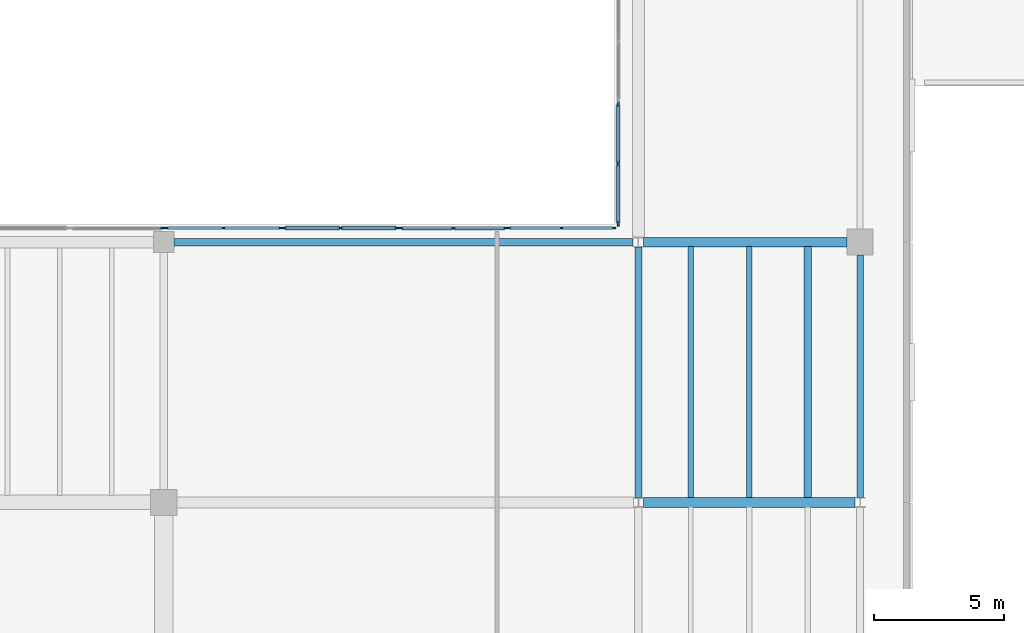
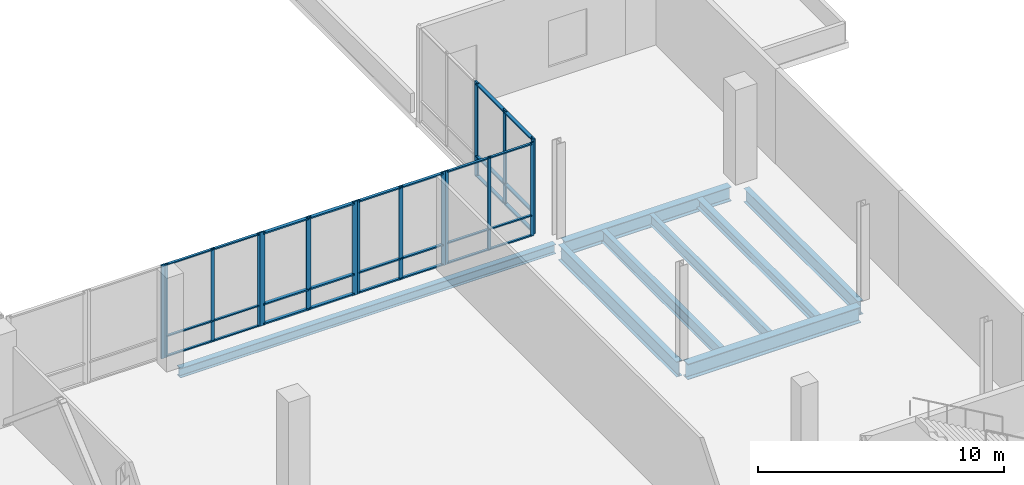
# One storey, part 32 of 60: 46 members, 8 beams, 6 elements without a shape of their own.
"""IFC4 building model written with IfcOpenShell, lengths in metres."""

from ifc_helpers import new_model, si_unit, direction, frame, origin, origin_2d, place, context, subcontext, project, spatial, rectangle, i_section, extrude, material, material_profile, profile_set, type_object, element, aggregate, save


model = new_model("IFC4")

# Units and contexts
model_context = context("Model", 3, precision=1e-05, world=origin(), true_north=direction((0.0, 1.0)))
body_context = subcontext(model_context, "Body", "Model", "MODEL_VIEW")
ifc_project = project(units=[si_unit("LENGTHUNIT", "METRE"), si_unit("AREAUNIT", "SQUARE_METRE"), si_unit("VOLUMEUNIT", "CUBIC_METRE"), si_unit("PLANEANGLEUNIT", "RADIAN"), si_unit("MASSUNIT", "GRAM", prefix="KILO")], contexts=[model_context])

# Site, building, storey
site_placement = place(None, origin())
site = spatial("IfcSite", under=ifc_project, at=site_placement, CompositionType="ELEMENT")
building_placement = place(site_placement, origin())
building = spatial("IfcBuilding", under=site, at=building_placement, Name="Trimount Lyric Opera House", CompositionType="ELEMENT")
storey_placement = place(building_placement, frame((0.0, 0.0, 15.0)))
storey = spatial("IfcBuildingStorey", under=building, at=storey_placement, Name="L03", CompositionType="ELEMENT", Elevation=15.0)

# Beams
ifc_material_1 = material(Name="Steel ASTM A992 Grade 50", Category="steel")
ifc_material_profile_1 = material_profile(ifc_material_1, i_section(OverallWidth=0.382080078125, OverallDepth=0.779052734375, WebThickness=0.01806640625, FlangeThickness=0.0302734375, FilletRadius=0.01904296875, at=origin_2d()), Name="W30X191")
ifc_profile_set_1 = profile_set([ifc_material_profile_1], Name="Steel ASTM A992 Grade 50")
beam_type_1 = type_object("IfcBeamType", Name="B-06", PredefinedType="BEAM", material=ifc_profile_set_1)
beam_1_placement = place(storey_placement, frame((148.426513671875, 64.0, -0.659423828125), z_axis=(1.0, 0.0, 0.0), x_axis=(0.0, 1.0, 0.0)))
element("IfcBeam", 1, at=beam_1_placement, inside=storey, type_object=beam_type_1, Name="L03 girder X-0977", PredefinedType="BEAM", context=body_context, shape_type="SweptSolid", body=[
    extrude(i_section(OverallWidth=0.382080078125, OverallDepth=0.779052734375, WebThickness=0.01806640625, FlangeThickness=0.0302734375, FilletRadius=0.01904296875, at=origin_2d()), origin(), (0.0, 0.0, 1.0), 8.134033203125),
])
ifc_material_2 = material(Name="Steel ASTM A992 Grade 50", Category="steel")
ifc_material_profile_2 = material_profile(ifc_material_2, i_section(OverallWidth=0.26708984375, OverallDepth=0.761962890625, WebThickness=0.014404296875, FlangeThickness=0.021484375, FilletRadius=0.01708984375, at=origin_2d()), Name="W30X116")
ifc_profile_set_2 = profile_set([ifc_material_profile_2], Name="Steel ASTM A992 Grade 50")
beam_type_2 = type_object("IfcBeamType", Name="B-07", PredefinedType="BEAM", material=ifc_profile_set_2)
beam_2_placement = place(storey_placement, frame((148.239990234375, 64.18408203125, -0.65087890625), z_axis=(0.0, 1.0, 0.0), x_axis=(-1.0, 0.0, 0.0)))
element("IfcBeam", 2, at=beam_2_placement, inside=storey, type_object=beam_type_2, Name="L03 girder Y-1112", PredefinedType="BEAM", context=body_context, shape_type="SweptSolid", body=[
    extrude(i_section(OverallWidth=0.26708984375, OverallDepth=0.761962890625, WebThickness=0.014404296875, FlangeThickness=0.021484375, FilletRadius=0.01708984375, at=origin_2d()), origin(), (0.0, 0.0, 1.0), 9.622802734375),
])
ifc_material_3 = material(Name="Steel ASTM A992 Grade 50", Category="steel")
ifc_material_profile_3 = material_profile(ifc_material_3, i_section(OverallWidth=0.35595703125, OverallDepth=0.700927734375, WebThickness=0.016845703125, FlangeThickness=0.02734375, FilletRadius=0.01806640625, at=origin_2d()), Name="W27X161")
ifc_profile_set_3 = profile_set([ifc_material_profile_3], Name="Steel ASTM A992 Grade 50")
beam_type_3 = type_object("IfcBeamType", Name="B-08", PredefinedType="BEAM", material=ifc_profile_set_3)
beam_3_placement = place(storey_placement, frame((148.439453125, 74.0, -0.62060546875), z_axis=(1.0, 0.0, 0.0), x_axis=(0.0, 1.0, 0.0)))
element("IfcBeam", 3, at=beam_3_placement, inside=storey, type_object=beam_type_3, Name="L03 girder X-0988", PredefinedType="BEAM", context=body_context, shape_type="SweptSolid", body=[
    extrude(i_section(OverallWidth=0.35595703125, OverallDepth=0.700927734375, WebThickness=0.016845703125, FlangeThickness=0.02734375, FilletRadius=0.01806640625, at=origin_2d()), origin(), (0.0, 0.0, 1.0), 7.820556640625),
])
ifc_material_4 = material(Name="Steel ASTM A992 Grade 50", Category="steel")
ifc_material_profile_4 = material_profile(ifc_material_4, i_section(OverallWidth=0.25390625, OverallDepth=0.68798828125, WebThickness=0.01318359375, FlangeThickness=0.02099609375, FilletRadius=0.01611328125, at=origin_2d()), Name="W27X102")
ifc_profile_set_4 = profile_set([ifc_material_profile_4], Name="Steel ASTM A992 Grade 50")
beam_type_4 = type_object("IfcBeamType", Name="B-09", PredefinedType="BEAM", material=ifc_profile_set_4)
beam_4_placement = place(storey_placement, frame((156.760009765625, 64.193115234375, -0.614013671875), z_axis=(0.0, 1.0, 0.0), x_axis=(-1.0, 0.0, 0.0)))
element("IfcBeam", 4, at=beam_4_placement, inside=storey, type_object=beam_type_4, Name="L03 girder Y-1119", PredefinedType="BEAM", context=body_context, shape_type="SweptSolid", body=[
    extrude(i_section(OverallWidth=0.25390625, OverallDepth=0.68798828125, WebThickness=0.01318359375, FlangeThickness=0.02099609375, FilletRadius=0.01611328125, at=origin_2d()), origin(), (0.0, 0.0, 1.0), 9.306884765625),
])
ifc_material_5 = material(Name="Steel ASTM A992 Grade 50", Category="steel")
ifc_material_profile_5 = material_profile(ifc_material_5, i_section(OverallWidth=0.22802734375, OverallDepth=0.60205078125, WebThickness=0.010498046875, FlangeThickness=0.014892578125, FilletRadius=0.012939453125, at=origin_2d()), Name="W24X68")
ifc_profile_set_5 = profile_set([ifc_material_profile_5], Name="Steel ASTM A992 Grade 50")
beam_type_5 = type_object("IfcBeamType", Name="J-01", PredefinedType="BEAM", material=ifc_profile_set_5)
beam_5_placement = place(storey_placement, frame((150.25, 64.18701171875, -0.571044921875), z_axis=(0.0, 1.0, 0.0), x_axis=(-1.0, 0.0, 0.0)))
element("IfcBeam", 5, at=beam_5_placement, inside=storey, type_object=beam_type_5, Name="L03 composite floor joist 1119", PredefinedType="BEAM", context=body_context, shape_type="SweptSolid", body=[
    extrude(i_section(OverallWidth=0.22802734375, OverallDepth=0.60205078125, WebThickness=0.010498046875, FlangeThickness=0.014892578125, FilletRadius=0.012939453125, at=origin_2d()), origin(), (0.0, 0.0, 1.0), 9.638916015625),
])
ifc_material_6 = material(Name="Steel ASTM A992 Grade 50", Category="steel")
ifc_material_profile_6 = material_profile(ifc_material_6, i_section(OverallWidth=0.2099609375, OverallDepth=0.532958984375, WebThickness=0.01025390625, FlangeThickness=0.015625, FilletRadius=0.012939453125, at=origin_2d()), Name="W21X62")
ifc_profile_set_6 = profile_set([ifc_material_profile_6], Name="Steel ASTM A992 Grade 50")
beam_type_6 = type_object("IfcBeamType", Name="J-02", PredefinedType="BEAM", material=ifc_profile_set_6)
beam_6_placement = place(storey_placement, frame((152.5, 64.18701171875, -0.53662109375), z_axis=(0.0, 1.0, 0.0), x_axis=(-1.0, 0.0, 0.0)))
element("IfcBeam", 6, at=beam_6_placement, inside=storey, type_object=beam_type_6, Name="L03 composite floor joist 1120", PredefinedType="BEAM", context=body_context, shape_type="SweptSolid", body=[
    extrude(i_section(OverallWidth=0.2099609375, OverallDepth=0.532958984375, WebThickness=0.01025390625, FlangeThickness=0.015625, FilletRadius=0.012939453125, at=origin_2d()), origin(), (0.0, 0.0, 1.0), 9.638916015625),
])
ifc_material_7 = material(Name="Steel ASTM A992 Grade 50", Category="steel")
ifc_material_profile_7 = material_profile(ifc_material_7, i_section(OverallWidth=0.281982421875, OverallDepth=0.467041015625, WebThickness=0.01220703125, FlangeThickness=0.01953125, FilletRadius=0.012939453125, at=origin_2d()), Name="W18X86")
ifc_profile_set_7 = profile_set([ifc_material_profile_7], Name="Steel ASTM A992 Grade 50")
beam_type_7 = type_object("IfcBeamType", Name="J-03", PredefinedType="BEAM", material=ifc_profile_set_7)
beam_7_placement = place(storey_placement, frame((154.75, 64.18701171875, -0.50341796875), z_axis=(0.0, 1.0, 0.0), x_axis=(-1.0, 0.0, 0.0)))
element("IfcBeam", 7, at=beam_7_placement, inside=storey, type_object=beam_type_7, Name="L03 composite floor joist 1121", PredefinedType="BEAM", context=body_context, shape_type="SweptSolid", body=[
    extrude(i_section(OverallWidth=0.281982421875, OverallDepth=0.467041015625, WebThickness=0.01220703125, FlangeThickness=0.01953125, FilletRadius=0.012939453125, at=origin_2d()), origin(), (0.0, 0.0, 1.0), 9.638916015625),
])

# Curtain wall, members
ifc_material_8 = material(Name="Thermally Broken Aluminium and Low-E Glass", Category="aluminium")
curtain_wall_type = type_object("IfcCurtainWallType", Name="CW-03", PredefinedType="NOTDEFINED", material=ifc_material_8)
curtain_wall_1_placement = place(storey_placement, origin())
curtain_wall_1 = element("IfcCurtainWall", 8, at=curtain_wall_1_placement, inside=storey, type_object=curtain_wall_type, Name="L03 curtain wall 252", PredefinedType="NOTDEFINED")
ifc_material_9 = material(Name="Anodised Aluminium 6063-T6", Category="aluminium")
ifc_material_profile_8 = material_profile(ifc_material_9, rectangle(XDim=0.070068359375, YDim=0.219970703125, at=origin_2d()), Name="ALU-MULL-70X220")
ifc_profile_set_8 = profile_set([ifc_material_profile_8], Name="Anodised Aluminium 6063-T6")
member_type_1 = type_object("IfcMemberType", Name="ML-01", PredefinedType="MULLION", material=ifc_profile_set_8)
member_1_placement = place(storey_placement, frame((134.625, 74.5400390625, 0.0), z_axis=(0.0, 0.0, 1.0), x_axis=(0.0, 1.0, 0.0)))
member_1 = element("IfcMember", 9, at=member_1_placement, type_object=member_type_1, Name="CW-03 mullion 1", PredefinedType="MULLION", context=body_context, shape_type="SweptSolid", body=[
    extrude(rectangle(XDim=0.070068359375, YDim=0.219970703125, at=origin_2d()), origin(), (0.0, 0.0, 1.0), 4.64990234375),
])
member_2_placement = place(storey_placement, frame((136.794921875, 74.5400390625, 0.0), z_axis=(0.0, 0.0, 1.0), x_axis=(0.0, 1.0, 0.0)))
member_2 = element("IfcMember", 10, at=member_2_placement, type_object=member_type_1, Name="CW-03 mullion 2", PredefinedType="MULLION", context=body_context, shape_type="SweptSolid", body=[
    extrude(rectangle(XDim=0.070068359375, YDim=0.219970703125, at=origin_2d()), origin(), (0.0, 0.0, 1.0), 4.64990234375),
])
member_3_placement = place(storey_placement, frame((138.965087890625, 74.5400390625, 0.0), z_axis=(0.0, 0.0, 1.0), x_axis=(0.0, 1.0, 0.0)))
member_3 = element("IfcMember", 11, at=member_3_placement, type_object=member_type_1, Name="CW-03 mullion 3", PredefinedType="MULLION", context=body_context, shape_type="SweptSolid", body=[
    extrude(rectangle(XDim=0.070068359375, YDim=0.219970703125, at=origin_2d()), origin(), (0.0, 0.0, 1.0), 4.64990234375),
])

curtain_wall_2_placement = place(storey_placement, origin())
curtain_wall_2 = element("IfcCurtainWall", 12, at=curtain_wall_2_placement, inside=storey, type_object=curtain_wall_type, Name="L03 curtain wall 255", PredefinedType="NOTDEFINED")
member_4_placement = place(storey_placement, frame((147.4599609375, 74.715087890625, 0.0), z_axis=(0.0, 0.0, 1.0), x_axis=(-1.0, 0.0, 0.0)))
member_4 = element("IfcMember", 13, at=member_4_placement, type_object=member_type_1, Name="CW-03 mullion 1", PredefinedType="MULLION", context=body_context, shape_type="SweptSolid", body=[
    extrude(rectangle(XDim=0.070068359375, YDim=0.219970703125, at=origin_2d()), origin(), (0.0, 0.0, 1.0), 4.7099609375),
])
member_5_placement = place(storey_placement, frame((147.4599609375, 77.010009765625, 0.0), z_axis=(0.0, 0.0, 1.0), x_axis=(-1.0, 0.0, 0.0)))
member_5 = element("IfcMember", 14, at=member_5_placement, type_object=member_type_1, Name="CW-03 mullion 2", PredefinedType="MULLION", context=body_context, shape_type="SweptSolid", body=[
    extrude(rectangle(XDim=0.070068359375, YDim=0.219970703125, at=origin_2d()), origin(), (0.0, 0.0, 1.0), 4.7099609375),
])
member_6_placement = place(storey_placement, frame((147.4599609375, 79.304931640625, 0.0), z_axis=(0.0, 0.0, 1.0), x_axis=(-1.0, 0.0, 0.0)))
member_6 = element("IfcMember", 15, at=member_6_placement, type_object=member_type_1, Name="CW-03 mullion 3", PredefinedType="MULLION", context=body_context, shape_type="SweptSolid", body=[
    extrude(rectangle(XDim=0.070068359375, YDim=0.219970703125, at=origin_2d()), origin(), (0.0, 0.0, 1.0), 4.7099609375),
])

# Curtain wall, member
curtain_wall_3_placement = place(storey_placement, origin())
curtain_wall_3 = element("IfcCurtainWall", 16, at=curtain_wall_3_placement, inside=storey, type_object=curtain_wall_type, Name="L03 curtain wall 250", PredefinedType="NOTDEFINED")
ifc_material_10 = material(Name="Anodised Aluminium 6063-T6", Category="aluminium")
ifc_material_profile_9 = material_profile(ifc_material_10, rectangle(XDim=0.06494140625, YDim=0.179931640625, at=origin_2d()), Name="ALU-MULL-65X180")
ifc_profile_set_9 = profile_set([ifc_material_profile_9], Name="Anodised Aluminium 6063-T6")
member_type_2 = type_object("IfcMemberType", Name="ML-02", PredefinedType="MULLION", material=ifc_profile_set_9)
member_7_placement = place(storey_placement, frame((129.967529296875, 74.5400390625, 0.0), z_axis=(0.0, 0.0, 1.0), x_axis=(0.0, 1.0, 0.0)))
member_7 = element("IfcMember", 17, at=member_7_placement, type_object=member_type_2, Name="CW-03 mullion 2", PredefinedType="MULLION", context=body_context, shape_type="SweptSolid", body=[
    extrude(rectangle(XDim=0.06494140625, YDim=0.179931640625, at=origin_2d()), origin(), (0.0, 0.0, 1.0), 4.64990234375),
])
aggregate(curtain_wall_3, [member_7])

# Curtain wall, members
curtain_wall_4_placement = place(storey_placement, origin())
curtain_wall_4 = element("IfcCurtainWall", 18, at=curtain_wall_4_placement, inside=storey, type_object=curtain_wall_type, Name="L03 curtain wall 253", PredefinedType="NOTDEFINED")
member_8_placement = place(storey_placement, frame((139.12255859375, 74.5400390625, 0.0), z_axis=(0.0, 0.0, 1.0), x_axis=(0.0, 1.0, 0.0)))
member_8 = element("IfcMember", 19, at=member_8_placement, type_object=member_type_2, Name="CW-03 mullion 1", PredefinedType="MULLION", context=body_context, shape_type="SweptSolid", body=[
    extrude(rectangle(XDim=0.06494140625, YDim=0.179931640625, at=origin_2d()), origin(), (0.0, 0.0, 1.0), 4.64990234375),
])
member_9_placement = place(storey_placement, frame((141.125, 74.5400390625, 0.0), z_axis=(0.0, 0.0, 1.0), x_axis=(0.0, 1.0, 0.0)))
member_9 = element("IfcMember", 20, at=member_9_placement, type_object=member_type_2, Name="CW-03 mullion 2", PredefinedType="MULLION", context=body_context, shape_type="SweptSolid", body=[
    extrude(rectangle(XDim=0.06494140625, YDim=0.179931640625, at=origin_2d()), origin(), (0.0, 0.0, 1.0), 4.64990234375),
])
member_10_placement = place(storey_placement, frame((143.12744140625, 74.5400390625, 0.0), z_axis=(0.0, 0.0, 1.0), x_axis=(0.0, 1.0, 0.0)))
member_10 = element("IfcMember", 21, at=member_10_placement, type_object=member_type_2, Name="CW-03 mullion 3", PredefinedType="MULLION", context=body_context, shape_type="SweptSolid", body=[
    extrude(rectangle(XDim=0.06494140625, YDim=0.179931640625, at=origin_2d()), origin(), (0.0, 0.0, 1.0), 4.64990234375),
])

curtain_wall_5_placement = place(storey_placement, origin())
curtain_wall_5 = element("IfcCurtainWall", 22, at=curtain_wall_5_placement, inside=storey, type_object=curtain_wall_type, Name="L03 curtain wall 251", PredefinedType="NOTDEFINED")
ifc_material_11 = material(Name="Anodised Aluminium 6063-T6", Category="aluminium")
ifc_material_profile_10 = material_profile(ifc_material_11, rectangle(XDim=0.06005859375, YDim=0.14990234375, at=origin_2d()), Name="ALU-MULL-60X150")
ifc_profile_set_10 = profile_set([ifc_material_profile_10], Name="Anodised Aluminium 6063-T6")
member_type_3 = type_object("IfcMemberType", Name="ML-03", PredefinedType="MULLION", material=ifc_profile_set_10)
member_11_placement = place(storey_placement, frame((130.1201171875, 74.5400390625, 0.0), z_axis=(0.0, 0.0, 1.0), x_axis=(0.0, 1.0, 0.0)))
member_11 = element("IfcMember", 23, at=member_11_placement, type_object=member_type_3, Name="CW-03 mullion 1", PredefinedType="MULLION", context=body_context, shape_type="SweptSolid", body=[
    extrude(rectangle(XDim=0.06005859375, YDim=0.14990234375, at=origin_2d()), origin(), (0.0, 0.0, 1.0), 4.64990234375),
])
member_12_placement = place(storey_placement, frame((132.294921875, 74.5400390625, 0.0), z_axis=(0.0, 0.0, 1.0), x_axis=(0.0, 1.0, 0.0)))
member_12 = element("IfcMember", 24, at=member_12_placement, type_object=member_type_3, Name="CW-03 mullion 2", PredefinedType="MULLION", context=body_context, shape_type="SweptSolid", body=[
    extrude(rectangle(XDim=0.06005859375, YDim=0.14990234375, at=origin_2d()), origin(), (0.0, 0.0, 1.0), 4.64990234375),
])
member_13_placement = place(storey_placement, frame((134.469970703125, 74.5400390625, 0.0), z_axis=(0.0, 0.0, 1.0), x_axis=(0.0, 1.0, 0.0)))
member_13 = element("IfcMember", 25, at=member_13_placement, type_object=member_type_3, Name="CW-03 mullion 3", PredefinedType="MULLION", context=body_context, shape_type="SweptSolid", body=[
    extrude(rectangle(XDim=0.06005859375, YDim=0.14990234375, at=origin_2d()), origin(), (0.0, 0.0, 1.0), 4.64990234375),
])

curtain_wall_6_placement = place(storey_placement, origin())
curtain_wall_6 = element("IfcCurtainWall", 26, at=curtain_wall_6_placement, inside=storey, type_object=curtain_wall_type, Name="L03 curtain wall 254", PredefinedType="NOTDEFINED")
member_14_placement = place(storey_placement, frame((143.280029296875, 74.5400390625, 0.0), z_axis=(0.0, 0.0, 1.0), x_axis=(0.0, 1.0, 0.0)))
member_14 = element("IfcMember", 27, at=member_14_placement, type_object=member_type_3, Name="CW-03 mullion 1", PredefinedType="MULLION", context=body_context, shape_type="SweptSolid", body=[
    extrude(rectangle(XDim=0.06005859375, YDim=0.14990234375, at=origin_2d()), origin(), (0.0, 0.0, 1.0), 4.64990234375),
])
member_15_placement = place(storey_placement, frame((145.284912109375, 74.5400390625, 0.0), z_axis=(0.0, 0.0, 1.0), x_axis=(0.0, 1.0, 0.0)))
member_15 = element("IfcMember", 28, at=member_15_placement, type_object=member_type_3, Name="CW-03 mullion 2", PredefinedType="MULLION", context=body_context, shape_type="SweptSolid", body=[
    extrude(rectangle(XDim=0.06005859375, YDim=0.14990234375, at=origin_2d()), origin(), (0.0, 0.0, 1.0), 4.64990234375),
])
member_16_placement = place(storey_placement, frame((147.2900390625, 74.5400390625, 0.0), z_axis=(0.0, 0.0, 1.0), x_axis=(0.0, 1.0, 0.0)))
member_16 = element("IfcMember", 29, at=member_16_placement, type_object=member_type_3, Name="CW-03 mullion 3", PredefinedType="MULLION", context=body_context, shape_type="SweptSolid", body=[
    extrude(rectangle(XDim=0.06005859375, YDim=0.14990234375, at=origin_2d()), origin(), (0.0, 0.0, 1.0), 4.64990234375),
])

# Beam
ifc_material_12 = material(Name="Steel ASTM A992 Grade 50", Category="steel")
ifc_material_profile_11 = material_profile(ifc_material_12, i_section(OverallWidth=0.281982421875, OverallDepth=0.467041015625, WebThickness=0.01220703125, FlangeThickness=0.01953125, FilletRadius=0.012939453125, at=origin_2d()), Name="W18X86")
ifc_profile_set_11 = profile_set([ifc_material_profile_11], Name="Steel ASTM A992 Grade 50")
beam_type_8 = type_object("IfcBeamType", Name="SP-01", PredefinedType="SPANDREL", material=ifc_profile_set_11)
beam_8_placement = place(storey_placement, frame((130.39990234375, 74.0, -0.50341796875), z_axis=(1.0, 0.0, 0.0), x_axis=(0.0, 1.0, 0.0)))
element("IfcBeam", 30, at=beam_8_placement, inside=storey, type_object=beam_type_8, Name="L03 girder X-0987", PredefinedType="SPANDREL", context=body_context, shape_type="SweptSolid", body=[
    extrude(i_section(OverallWidth=0.281982421875, OverallDepth=0.467041015625, WebThickness=0.01220703125, FlangeThickness=0.01953125, FilletRadius=0.012939453125, at=origin_2d()), origin(), (0.0, 0.0, 1.0), 17.640625),
])

# Member
ifc_material_13 = material(Name="Anodised Aluminium 6063-T6", Category="aluminium")
ifc_material_profile_12 = material_profile(ifc_material_13, rectangle(XDim=0.159912109375, YDim=0.070068359375, at=origin_2d()), Name="ALU-TRAN-70X160")
ifc_profile_set_12 = profile_set([ifc_material_profile_12], Name="Anodised Aluminium 6063-T6")
member_type_4 = type_object("IfcMemberType", Name="TR-01", PredefinedType="USERDEFINED", material=ifc_profile_set_12)
member_17_placement = place(storey_placement, frame((134.659912109375, 74.5400390625, 0.080078125), z_axis=(1.0, 0.0, 0.0), x_axis=(0.0, 1.0, 0.0)))
member_17 = element("IfcMember", 31, at=member_17_placement, type_object=member_type_4, Name="CW-03 transom 1.1", ObjectType="TRANSOM", PredefinedType="USERDEFINED", context=body_context, shape_type="SweptSolid", body=[
    extrude(rectangle(XDim=0.159912109375, YDim=0.070068359375, at=origin_2d()), origin(), (0.0, 0.0, 1.0), 2.10009765625),
])

member_18_placement = place(storey_placement, frame((134.659912109375, 74.5400390625, 1.050048828125), z_axis=(1.0, 0.0, 0.0), x_axis=(0.0, 1.0, 0.0)))
member_18 = element("IfcMember", 32, at=member_18_placement, type_object=member_type_4, Name="CW-03 transom 1.2", ObjectType="TRANSOM", PredefinedType="USERDEFINED", context=body_context, shape_type="SweptSolid", body=[
    extrude(rectangle(XDim=0.159912109375, YDim=0.070068359375, at=origin_2d()), origin(), (0.0, 0.0, 1.0), 2.10009765625),
])

member_19_placement = place(storey_placement, frame((134.659912109375, 74.5400390625, 4.570068359375), z_axis=(1.0, 0.0, 0.0), x_axis=(0.0, 1.0, 0.0)))
member_19 = element("IfcMember", 33, at=member_19_placement, type_object=member_type_4, Name="CW-03 transom 1.3", ObjectType="TRANSOM", PredefinedType="USERDEFINED", context=body_context, shape_type="SweptSolid", body=[
    extrude(rectangle(XDim=0.159912109375, YDim=0.070068359375, at=origin_2d()), origin(), (0.0, 0.0, 1.0), 2.10009765625),
])

member_20_placement = place(storey_placement, frame((136.830078125, 74.5400390625, 0.080078125), z_axis=(1.0, 0.0, 0.0), x_axis=(0.0, 1.0, 0.0)))
member_20 = element("IfcMember", 34, at=member_20_placement, type_object=member_type_4, Name="CW-03 transom 2.1", ObjectType="TRANSOM", PredefinedType="USERDEFINED", context=body_context, shape_type="SweptSolid", body=[
    extrude(rectangle(XDim=0.159912109375, YDim=0.070068359375, at=origin_2d()), origin(), (0.0, 0.0, 1.0), 2.099853515625),
])

member_21_placement = place(storey_placement, frame((136.830078125, 74.5400390625, 1.050048828125), z_axis=(1.0, 0.0, 0.0), x_axis=(0.0, 1.0, 0.0)))
member_21 = element("IfcMember", 35, at=member_21_placement, type_object=member_type_4, Name="CW-03 transom 2.2", ObjectType="TRANSOM", PredefinedType="USERDEFINED", context=body_context, shape_type="SweptSolid", body=[
    extrude(rectangle(XDim=0.159912109375, YDim=0.070068359375, at=origin_2d()), origin(), (0.0, 0.0, 1.0), 2.099853515625),
])

member_22_placement = place(storey_placement, frame((136.830078125, 74.5400390625, 4.570068359375), z_axis=(1.0, 0.0, 0.0), x_axis=(0.0, 1.0, 0.0)))
member_22 = element("IfcMember", 36, at=member_22_placement, type_object=member_type_4, Name="CW-03 transom 2.3", ObjectType="TRANSOM", PredefinedType="USERDEFINED", context=body_context, shape_type="SweptSolid", body=[
    extrude(rectangle(XDim=0.159912109375, YDim=0.070068359375, at=origin_2d()), origin(), (0.0, 0.0, 1.0), 2.099853515625),
])

aggregate(curtain_wall_1, [member_1, member_2, member_3, member_17, member_18, member_19, member_20, member_21, member_22])

member_23_placement = place(storey_placement, frame((147.4599609375, 74.75, 0.080078125), z_axis=(0.0, 1.0, 0.0), x_axis=(-1.0, 0.0, 0.0)))
member_23 = element("IfcMember", 37, at=member_23_placement, type_object=member_type_4, Name="CW-03 transom 1.1", ObjectType="TRANSOM", PredefinedType="USERDEFINED", context=body_context, shape_type="SweptSolid", body=[
    extrude(rectangle(XDim=0.159912109375, YDim=0.070068359375, at=origin_2d()), origin(), (0.0, 0.0, 1.0), 2.22509765625),
])

member_24_placement = place(storey_placement, frame((147.4599609375, 74.75, 1.050048828125), z_axis=(0.0, 1.0, 0.0), x_axis=(-1.0, 0.0, 0.0)))
member_24 = element("IfcMember", 38, at=member_24_placement, type_object=member_type_4, Name="CW-03 transom 1.2", ObjectType="TRANSOM", PredefinedType="USERDEFINED", context=body_context, shape_type="SweptSolid", body=[
    extrude(rectangle(XDim=0.159912109375, YDim=0.070068359375, at=origin_2d()), origin(), (0.0, 0.0, 1.0), 2.22509765625),
])

member_25_placement = place(storey_placement, frame((147.4599609375, 74.75, 4.6298828125), z_axis=(0.0, 1.0, 0.0), x_axis=(-1.0, 0.0, 0.0)))
member_25 = element("IfcMember", 39, at=member_25_placement, type_object=member_type_4, Name="CW-03 transom 1.3", ObjectType="TRANSOM", PredefinedType="USERDEFINED", context=body_context, shape_type="SweptSolid", body=[
    extrude(rectangle(XDim=0.159912109375, YDim=0.070068359375, at=origin_2d()), origin(), (0.0, 0.0, 1.0), 2.22509765625),
])

member_26_placement = place(storey_placement, frame((147.4599609375, 77.044921875, 0.080078125), z_axis=(0.0, 1.0, 0.0), x_axis=(-1.0, 0.0, 0.0)))
member_26 = element("IfcMember", 40, at=member_26_placement, type_object=member_type_4, Name="CW-03 transom 2.1", ObjectType="TRANSOM", PredefinedType="USERDEFINED", context=body_context, shape_type="SweptSolid", body=[
    extrude(rectangle(XDim=0.159912109375, YDim=0.070068359375, at=origin_2d()), origin(), (0.0, 0.0, 1.0), 2.22509765625),
])

member_27_placement = place(storey_placement, frame((147.4599609375, 77.044921875, 1.050048828125), z_axis=(0.0, 1.0, 0.0), x_axis=(-1.0, 0.0, 0.0)))
member_27 = element("IfcMember", 41, at=member_27_placement, type_object=member_type_4, Name="CW-03 transom 2.2", ObjectType="TRANSOM", PredefinedType="USERDEFINED", context=body_context, shape_type="SweptSolid", body=[
    extrude(rectangle(XDim=0.159912109375, YDim=0.070068359375, at=origin_2d()), origin(), (0.0, 0.0, 1.0), 2.22509765625),
])

member_28_placement = place(storey_placement, frame((147.4599609375, 77.044921875, 4.6298828125), z_axis=(0.0, 1.0, 0.0), x_axis=(-1.0, 0.0, 0.0)))
member_28 = element("IfcMember", 42, at=member_28_placement, type_object=member_type_4, Name="CW-03 transom 2.3", ObjectType="TRANSOM", PredefinedType="USERDEFINED", context=body_context, shape_type="SweptSolid", body=[
    extrude(rectangle(XDim=0.159912109375, YDim=0.070068359375, at=origin_2d()), origin(), (0.0, 0.0, 1.0), 2.22509765625),
])

aggregate(curtain_wall_2, [member_4, member_5, member_6, member_23, member_24, member_25, member_26, member_27, member_28])

ifc_material_14 = material(Name="Anodised Aluminium 6063-T6", Category="aluminium")
ifc_material_profile_13 = material_profile(ifc_material_14, rectangle(XDim=0.135009765625, YDim=0.06494140625, at=origin_2d()), Name="ALU-TRAN-65X135")
ifc_profile_set_13 = profile_set([ifc_material_profile_13], Name="Anodised Aluminium 6063-T6")
member_type_5 = type_object("IfcMemberType", Name="TR-02", PredefinedType="USERDEFINED", material=ifc_profile_set_13)
member_29_placement = place(storey_placement, frame((139.155029296875, 74.5400390625, 0.0673828125), z_axis=(1.0, 0.0, 0.0), x_axis=(0.0, 1.0, 0.0)))
member_29 = element("IfcMember", 43, at=member_29_placement, type_object=member_type_5, Name="CW-03 transom 1.1", ObjectType="TRANSOM", PredefinedType="USERDEFINED", context=body_context, shape_type="SweptSolid", body=[
    extrude(rectangle(XDim=0.135009765625, YDim=0.06494140625, at=origin_2d()), origin(), (0.0, 0.0, 1.0), 1.9375),
])

member_30_placement = place(storey_placement, frame((139.155029296875, 74.5400390625, 1.050048828125), z_axis=(1.0, 0.0, 0.0), x_axis=(0.0, 1.0, 0.0)))
member_30 = element("IfcMember", 44, at=member_30_placement, type_object=member_type_5, Name="CW-03 transom 1.2", ObjectType="TRANSOM", PredefinedType="USERDEFINED", context=body_context, shape_type="SweptSolid", body=[
    extrude(rectangle(XDim=0.135009765625, YDim=0.06494140625, at=origin_2d()), origin(), (0.0, 0.0, 1.0), 1.9375),
])

member_31_placement = place(storey_placement, frame((139.155029296875, 74.5400390625, 4.58251953125), z_axis=(1.0, 0.0, 0.0), x_axis=(0.0, 1.0, 0.0)))
member_31 = element("IfcMember", 45, at=member_31_placement, type_object=member_type_5, Name="CW-03 transom 1.3", ObjectType="TRANSOM", PredefinedType="USERDEFINED", context=body_context, shape_type="SweptSolid", body=[
    extrude(rectangle(XDim=0.135009765625, YDim=0.06494140625, at=origin_2d()), origin(), (0.0, 0.0, 1.0), 1.9375),
])

member_32_placement = place(storey_placement, frame((141.157470703125, 74.5400390625, 0.0673828125), z_axis=(1.0, 0.0, 0.0), x_axis=(0.0, 1.0, 0.0)))
member_32 = element("IfcMember", 46, at=member_32_placement, type_object=member_type_5, Name="CW-03 transom 2.1", ObjectType="TRANSOM", PredefinedType="USERDEFINED", context=body_context, shape_type="SweptSolid", body=[
    extrude(rectangle(XDim=0.135009765625, YDim=0.06494140625, at=origin_2d()), origin(), (0.0, 0.0, 1.0), 1.9375),
])

member_33_placement = place(storey_placement, frame((141.157470703125, 74.5400390625, 1.050048828125), z_axis=(1.0, 0.0, 0.0), x_axis=(0.0, 1.0, 0.0)))
member_33 = element("IfcMember", 47, at=member_33_placement, type_object=member_type_5, Name="CW-03 transom 2.2", ObjectType="TRANSOM", PredefinedType="USERDEFINED", context=body_context, shape_type="SweptSolid", body=[
    extrude(rectangle(XDim=0.135009765625, YDim=0.06494140625, at=origin_2d()), origin(), (0.0, 0.0, 1.0), 1.9375),
])

member_34_placement = place(storey_placement, frame((141.157470703125, 74.5400390625, 4.58251953125), z_axis=(1.0, 0.0, 0.0), x_axis=(0.0, 1.0, 0.0)))
member_34 = element("IfcMember", 48, at=member_34_placement, type_object=member_type_5, Name="CW-03 transom 2.3", ObjectType="TRANSOM", PredefinedType="USERDEFINED", context=body_context, shape_type="SweptSolid", body=[
    extrude(rectangle(XDim=0.135009765625, YDim=0.06494140625, at=origin_2d()), origin(), (0.0, 0.0, 1.0), 1.9375),
])

aggregate(curtain_wall_4, [member_8, member_9, member_10, member_29, member_30, member_31, member_32, member_33, member_34])

ifc_material_15 = material(Name="Anodised Aluminium 6063-T6", Category="aluminium")
ifc_material_profile_14 = material_profile(ifc_material_15, rectangle(XDim=0.114990234375, YDim=0.06005859375, at=origin_2d()), Name="ALU-TRAN-60X115")
ifc_profile_set_14 = profile_set([ifc_material_profile_14], Name="Anodised Aluminium 6063-T6")
member_type_6 = type_object("IfcMemberType", Name="TR-03", PredefinedType="USERDEFINED", material=ifc_profile_set_14)
member_35_placement = place(storey_placement, frame((130.14990234375, 74.5400390625, 0.0576171875), z_axis=(1.0, 0.0, 0.0), x_axis=(0.0, 1.0, 0.0)))
member_35 = element("IfcMember", 49, at=member_35_placement, type_object=member_type_6, Name="CW-03 transom 1.1", ObjectType="TRANSOM", PredefinedType="USERDEFINED", context=body_context, shape_type="SweptSolid", body=[
    extrude(rectangle(XDim=0.114990234375, YDim=0.06005859375, at=origin_2d()), origin(), (0.0, 0.0, 1.0), 2.114990234375),
])

member_36_placement = place(storey_placement, frame((130.14990234375, 74.5400390625, 1.050048828125), z_axis=(1.0, 0.0, 0.0), x_axis=(0.0, 1.0, 0.0)))
member_36 = element("IfcMember", 50, at=member_36_placement, type_object=member_type_6, Name="CW-03 transom 1.2", ObjectType="TRANSOM", PredefinedType="USERDEFINED", context=body_context, shape_type="SweptSolid", body=[
    extrude(rectangle(XDim=0.114990234375, YDim=0.06005859375, at=origin_2d()), origin(), (0.0, 0.0, 1.0), 2.114990234375),
])

member_37_placement = place(storey_placement, frame((130.14990234375, 74.5400390625, 4.592529296875), z_axis=(1.0, 0.0, 0.0), x_axis=(0.0, 1.0, 0.0)))
member_37 = element("IfcMember", 51, at=member_37_placement, type_object=member_type_6, Name="CW-03 transom 1.3", ObjectType="TRANSOM", PredefinedType="USERDEFINED", context=body_context, shape_type="SweptSolid", body=[
    extrude(rectangle(XDim=0.114990234375, YDim=0.06005859375, at=origin_2d()), origin(), (0.0, 0.0, 1.0), 2.114990234375),
])

member_38_placement = place(storey_placement, frame((132.324951171875, 74.5400390625, 0.0576171875), z_axis=(1.0, 0.0, 0.0), x_axis=(0.0, 1.0, 0.0)))
member_38 = element("IfcMember", 52, at=member_38_placement, type_object=member_type_6, Name="CW-03 transom 2.1", ObjectType="TRANSOM", PredefinedType="USERDEFINED", context=body_context, shape_type="SweptSolid", body=[
    extrude(rectangle(XDim=0.114990234375, YDim=0.06005859375, at=origin_2d()), origin(), (0.0, 0.0, 1.0), 2.114990234375),
])

member_39_placement = place(storey_placement, frame((132.324951171875, 74.5400390625, 1.050048828125), z_axis=(1.0, 0.0, 0.0), x_axis=(0.0, 1.0, 0.0)))
member_39 = element("IfcMember", 53, at=member_39_placement, type_object=member_type_6, Name="CW-03 transom 2.2", ObjectType="TRANSOM", PredefinedType="USERDEFINED", context=body_context, shape_type="SweptSolid", body=[
    extrude(rectangle(XDim=0.114990234375, YDim=0.06005859375, at=origin_2d()), origin(), (0.0, 0.0, 1.0), 2.114990234375),
])

member_40_placement = place(storey_placement, frame((132.324951171875, 74.5400390625, 4.592529296875), z_axis=(1.0, 0.0, 0.0), x_axis=(0.0, 1.0, 0.0)))
member_40 = element("IfcMember", 54, at=member_40_placement, type_object=member_type_6, Name="CW-03 transom 2.3", ObjectType="TRANSOM", PredefinedType="USERDEFINED", context=body_context, shape_type="SweptSolid", body=[
    extrude(rectangle(XDim=0.114990234375, YDim=0.06005859375, at=origin_2d()), origin(), (0.0, 0.0, 1.0), 2.114990234375),
])

aggregate(curtain_wall_5, [member_11, member_12, member_13, member_35, member_36, member_37, member_38, member_39, member_40])

member_41_placement = place(storey_placement, frame((143.31005859375, 74.5400390625, 0.0576171875), z_axis=(1.0, 0.0, 0.0), x_axis=(0.0, 1.0, 0.0)))
member_41 = element("IfcMember", 55, at=member_41_placement, type_object=member_type_6, Name="CW-03 transom 1.1", ObjectType="TRANSOM", PredefinedType="USERDEFINED", context=body_context, shape_type="SweptSolid", body=[
    extrude(rectangle(XDim=0.114990234375, YDim=0.06005859375, at=origin_2d()), origin(), (0.0, 0.0, 1.0), 1.94482421875),
])

member_42_placement = place(storey_placement, frame((143.31005859375, 74.5400390625, 1.050048828125), z_axis=(1.0, 0.0, 0.0), x_axis=(0.0, 1.0, 0.0)))
member_42 = element("IfcMember", 56, at=member_42_placement, type_object=member_type_6, Name="CW-03 transom 1.2", ObjectType="TRANSOM", PredefinedType="USERDEFINED", context=body_context, shape_type="SweptSolid", body=[
    extrude(rectangle(XDim=0.114990234375, YDim=0.06005859375, at=origin_2d()), origin(), (0.0, 0.0, 1.0), 1.94482421875),
])

member_43_placement = place(storey_placement, frame((143.31005859375, 74.5400390625, 4.592529296875), z_axis=(1.0, 0.0, 0.0), x_axis=(0.0, 1.0, 0.0)))
member_43 = element("IfcMember", 57, at=member_43_placement, type_object=member_type_6, Name="CW-03 transom 1.3", ObjectType="TRANSOM", PredefinedType="USERDEFINED", context=body_context, shape_type="SweptSolid", body=[
    extrude(rectangle(XDim=0.114990234375, YDim=0.06005859375, at=origin_2d()), origin(), (0.0, 0.0, 1.0), 1.94482421875),
])

member_44_placement = place(storey_placement, frame((145.31494140625, 74.5400390625, 0.0576171875), z_axis=(1.0, 0.0, 0.0), x_axis=(0.0, 1.0, 0.0)))
member_44 = element("IfcMember", 58, at=member_44_placement, type_object=member_type_6, Name="CW-03 transom 2.1", ObjectType="TRANSOM", PredefinedType="USERDEFINED", context=body_context, shape_type="SweptSolid", body=[
    extrude(rectangle(XDim=0.114990234375, YDim=0.06005859375, at=origin_2d()), origin(), (0.0, 0.0, 1.0), 1.945068359375),
])

member_45_placement = place(storey_placement, frame((145.31494140625, 74.5400390625, 1.050048828125), z_axis=(1.0, 0.0, 0.0), x_axis=(0.0, 1.0, 0.0)))
member_45 = element("IfcMember", 59, at=member_45_placement, type_object=member_type_6, Name="CW-03 transom 2.2", ObjectType="TRANSOM", PredefinedType="USERDEFINED", context=body_context, shape_type="SweptSolid", body=[
    extrude(rectangle(XDim=0.114990234375, YDim=0.06005859375, at=origin_2d()), origin(), (0.0, 0.0, 1.0), 1.945068359375),
])

member_46_placement = place(storey_placement, frame((145.31494140625, 74.5400390625, 4.592529296875), z_axis=(1.0, 0.0, 0.0), x_axis=(0.0, 1.0, 0.0)))
member_46 = element("IfcMember", 60, at=member_46_placement, type_object=member_type_6, Name="CW-03 transom 2.3", ObjectType="TRANSOM", PredefinedType="USERDEFINED", context=body_context, shape_type="SweptSolid", body=[
    extrude(rectangle(XDim=0.114990234375, YDim=0.06005859375, at=origin_2d()), origin(), (0.0, 0.0, 1.0), 1.945068359375),
])

aggregate(curtain_wall_6, [member_14, member_15, member_16, member_41, member_42, member_43, member_44, member_45, member_46])

save(model, "model.ifc")
